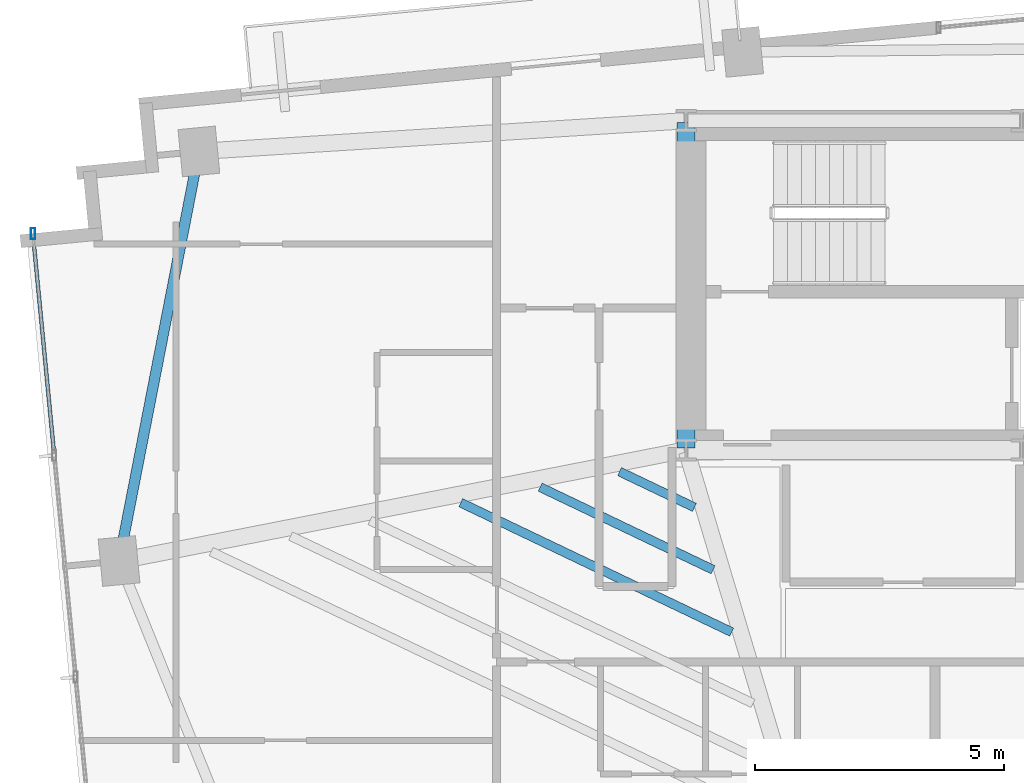
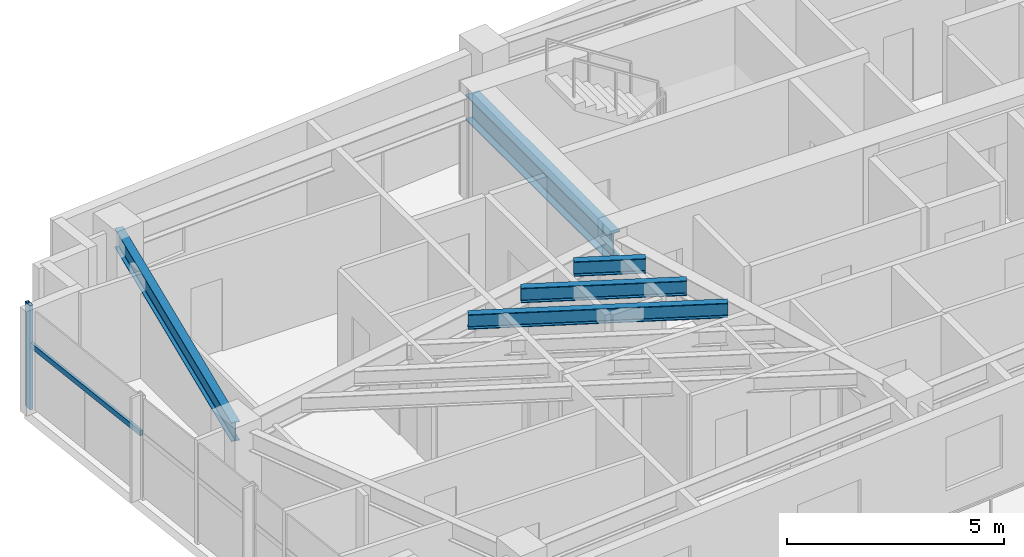
# One storey, part 3 of 18: 5 beams, 2 members, 1 element without a shape of its own.
"""IFC4 building model written with IfcOpenShell, lengths in metres."""

from ifc_helpers import new_model, si_unit, direction, frame, origin, origin_2d, place, context, subcontext, project, spatial, hollow_rectangle, i_section, extrude, source, transform, mapped, material, material_profile, profile_set, type_object, type_shapes, element, aggregate, save


model = new_model("IFC4")

# Units and contexts
model_context = context("Model", 3, precision=1e-05, world=origin(), true_north=direction((0.0, 1.0)))
body_context = subcontext(model_context, "Body", "Model", "MODEL_VIEW")
ifc_project = project(units=[si_unit("LENGTHUNIT", "METRE"), si_unit("AREAUNIT", "SQUARE_METRE"), si_unit("VOLUMEUNIT", "CUBIC_METRE"), si_unit("PLANEANGLEUNIT", "RADIAN"), si_unit("MASSUNIT", "GRAM", prefix="KILO")], contexts=[model_context])

# Site, building, storey
site_placement = place(None, origin())
site = spatial("IfcSite", under=ifc_project, at=site_placement, CompositionType="ELEMENT")
building_placement = place(site_placement, origin())
building = spatial("IfcBuilding", under=site, at=building_placement, Name="Astriad Promenade Condominiums", CompositionType="ELEMENT")
storey_placement = place(building_placement, frame((0.0, 0.0, 173.0)))
storey = spatial("IfcBuildingStorey", under=building, at=storey_placement, Name="L49", CompositionType="ELEMENT", Elevation=173.0)

# Beams
ifc_material_1 = material(Name="Steel ASTM A992 Grade 50", Category="steel")
ifc_material_profile_1 = material_profile(ifc_material_1, i_section(OverallWidth=0.35791015625, OverallDepth=0.706298828125, WebThickness=0.018310546875, FlangeThickness=0.0302734375, FilletRadius=0.020263671875, at=origin_2d()), Name="W27X178")
ifc_profile_set_1 = profile_set([ifc_material_profile_1], Name="Steel ASTM A992 Grade 50")
beam_type_1 = type_object("IfcBeamType", Name="STEEL FLOOR GIRDER W27X178", PredefinedType="BEAM", material=ifc_profile_set_1)
shared_shape_1 = source(origin(), body_context, "Body", "SweptSolid", [
    extrude(i_section(OverallWidth=0.35791015625, OverallDepth=0.706298828125, WebThickness=0.018310546875, FlangeThickness=0.0302734375, FilletRadius=0.020263671875, at=origin_2d()), origin(), (0.0, 0.0, 1.0), 6.52001953125),
])
type_shapes(beam_type_1, [shared_shape_1])
beam_1_placement = place(storey_placement, frame((26.39990234375, 17.43994140625, 2.5869140625), z_axis=(0.0, 1.0, 0.0), x_axis=(-1.0, 0.0, 0.0)))
element("IfcBeam", 1, at=beam_1_placement, inside=storey, type_object=beam_type_1, Name="Core Ring Beam CG-W1-L49", PredefinedType="BEAM", context=body_context, shape_type="MappedRepresentation", body=[
    mapped(shared_shape_1, transform((0.0, 0.0, 0.0), scale=1.0)),
])
ifc_material_profile_2 = material_profile(ifc_material_1, i_section(OverallWidth=0.210693359375, OverallDepth=0.53955078125, WebThickness=0.01171875, FlangeThickness=0.018798828125, FilletRadius=0.0166015625, at=origin_2d()), Name="W21X73")
ifc_profile_set_2 = profile_set([ifc_material_profile_2], Name="Steel ASTM A992 Grade 50")
beam_type_2 = type_object("IfcBeamType", Name="STEEL SPANDREL BEAM W21X73", PredefinedType="SPANDREL", material=ifc_profile_set_2)
shared_shape_2 = source(origin(), body_context, "Body", "SweptSolid", [
    extrude(i_section(OverallWidth=0.210693359375, OverallDepth=0.53955078125, WebThickness=0.01171875, FlangeThickness=0.018798828125, FilletRadius=0.0166015625, at=origin_2d()), origin(), (0.0, 0.0, 1.0), 8.28564453125),
])
type_shapes(beam_type_2, [shared_shape_2])
beam_2_placement = place(storey_placement, frame((16.62451171875, 23.3447265625, 2.67041015625), z_axis=(-0.191291582099, -0.981533254973, 0.0), x_axis=(0.981533254973, -0.191291582099, 0.0)))
element("IfcBeam", 2, at=beam_2_placement, inside=storey, type_object=beam_type_2, Name="Perimeter Spandrel Beam SP-W2-L49", PredefinedType="SPANDREL", context=body_context, shape_type="MappedRepresentation", body=[
    mapped(shared_shape_2, transform((0.0, 0.0, 0.0), scale=1.0)),
])
ifc_material_profile_3 = material_profile(ifc_material_1, i_section(OverallWidth=0.180908203125, OverallDepth=0.417236328125, WebThickness=0.010986328125, FlangeThickness=0.018310546875, FilletRadius=0.013916015625, at=origin_2d()), Name="W16X57")
ifc_profile_set_3 = profile_set([ifc_material_profile_3], Name="Steel ASTM A992 Grade 50")
beam_type_3 = type_object("IfcBeamType", Name="STEEL FLOOR JOIST W16X57", PredefinedType="JOIST", material=ifc_profile_set_3)
shared_shape_3 = source(origin(), body_context, "Body", "SweptSolid", [
    extrude(i_section(OverallWidth=0.180908203125, OverallDepth=0.417236328125, WebThickness=0.010986328125, FlangeThickness=0.018310546875, FilletRadius=0.013916015625, at=origin_2d()), origin(), (0.0, 0.0, 1.0), 6.01904296875),
])
beam_3_placement = place(storey_placement, frame((21.882080078125, 16.342041015625, 2.731201171875), z_axis=(0.902329759838, -0.431046406446, 0.0), x_axis=(0.431046406446, 0.902329759838, 0.0)))
element("IfcBeam", 3, at=beam_3_placement, inside=storey, type_object=beam_type_3, Name="Secondary Composite Floor Joist JW1-4-L49", PredefinedType="JOIST", context=body_context, shape_type="MappedRepresentation", body=[
    mapped(shared_shape_3, transform((0.0, 0.0, 0.0), scale=1.0)),
])
shared_shape_4 = source(origin(), body_context, "Body", "SweptSolid", [
    extrude(i_section(OverallWidth=0.180908203125, OverallDepth=0.417236328125, WebThickness=0.010986328125, FlangeThickness=0.018310546875, FilletRadius=0.013916015625, at=origin_2d()), origin(), (0.0, 0.0, 1.0), 3.84130859375),
])
beam_4_placement = place(storey_placement, frame((23.473388671875, 16.65380859375, 2.731201171875), z_axis=(0.902328811953, -0.431048390693, 0.0), x_axis=(0.431048390693, 0.902328811953, 0.0)))
element("IfcBeam", 4, at=beam_4_placement, inside=storey, type_object=beam_type_3, Name="Secondary Composite Floor Joist JW1-5-L49", PredefinedType="JOIST", context=body_context, shape_type="MappedRepresentation", body=[
    mapped(shared_shape_4, transform((0.0, 0.0, 0.0), scale=1.0)),
])
shared_shape_5 = source(origin(), body_context, "Body", "SweptSolid", [
    extrude(i_section(OverallWidth=0.180908203125, OverallDepth=0.417236328125, WebThickness=0.010986328125, FlangeThickness=0.018310546875, FilletRadius=0.013916015625, at=origin_2d()), origin(), (0.0, 0.0, 1.0), 1.6630859375),
])
type_shapes(beam_type_3, [shared_shape_3, shared_shape_4, shared_shape_5])
beam_5_placement = place(storey_placement, frame((25.065185546875, 16.965576171875, 2.731201171875), z_axis=(0.902355200591, -0.430993146077, 0.0), x_axis=(0.430993146077, 0.902355200591, 0.0)))
element("IfcBeam", 5, at=beam_5_placement, inside=storey, type_object=beam_type_3, Name="Secondary Composite Floor Joist JW1-6-L49", PredefinedType="JOIST", context=body_context, shape_type="MappedRepresentation", body=[
    mapped(shared_shape_5, transform((0.0, 0.0, 0.0), scale=1.0)),
])

# Curtain wall, members
ifc_material_2 = material(Name="Anodised aluminium Black Dark Glass Unitised", Category="aluminium")
curtain_wall_type = type_object("IfcCurtainWallType", Name="CW-B34-DARK", PredefinedType="USERDEFINED", material=ifc_material_2)
curtain_wall_placement = place(storey_placement, origin())
curtain_wall = element("IfcCurtainWall", 6, at=curtain_wall_placement, inside=storey, type_object=curtain_wall_type, Name="CW-L49-W", ObjectType="UNITISED_CURTAIN_WALL", PredefinedType="USERDEFINED")
ifc_material_3 = material(Name="Anodised aluminium 6063-T6 Black", Category="aluminium")
ifc_material_profile_4 = material_profile(ifc_material_3, hollow_rectangle(XDim=0.0849609375, YDim=0.219970703125, WallThickness=0.0048828125, at=origin_2d()), Name="ALU-MUL-85X220")
ifc_profile_set_4 = profile_set([ifc_material_profile_4], Name="Anodised aluminium 6063-T6 Black")
member_type_1 = type_object("IfcMemberType", Name="MUL-ALU-MUL-85X220", PredefinedType="MULLION", material=ifc_profile_set_4)
shared_shape_6 = source(origin(), body_context, "Body", "SweptSolid", [
    extrude(hollow_rectangle(XDim=0.0849609375, YDim=0.219970703125, WallThickness=0.0048828125, at=origin_2d()), origin(), (0.0, 0.0, 1.0), 2.93994140625),
])
type_shapes(member_type_1, [shared_shape_6])
member_1_placement = place(storey_placement, frame((13.3046875, 21.737548828125, 0.0), z_axis=(0.0, 0.0, 1.0), x_axis=(1.0, 0.0, 0.0)))
member_1 = element("IfcMember", 7, at=member_1_placement, type_object=member_type_1, Name="CW-L49-W-MUL-03", PredefinedType="MULLION", context=body_context, shape_type="MappedRepresentation", body=[
    mapped(shared_shape_6, transform((0.0, 0.0, 0.0), scale=1.0)),
])
ifc_material_profile_5 = material_profile(ifc_material_3, hollow_rectangle(XDim=0.074951171875, YDim=0.14990234375, WallThickness=0.004150390625, at=origin_2d()), Name="ALU-TRN-75X150")
ifc_profile_set_5 = profile_set([ifc_material_profile_5], Name="Anodised aluminium 6063-T6 Black")
member_type_2 = type_object("IfcMemberType", Name="TRN-ALU-TRN-75X150", PredefinedType="USERDEFINED", material=ifc_profile_set_5)
shared_shape_7 = source(origin(), body_context, "Body", "SweptSolid", [
    extrude(hollow_rectangle(XDim=0.074951171875, YDim=0.14990234375, WallThickness=0.004150390625, at=origin_2d()), origin(), (0.0, 0.0, 1.0), 4.466552734375),
])
type_shapes(member_type_2, [shared_shape_7])
member_2_placement = place(storey_placement, frame((13.732666015625, 17.29150390625, 1.82275390625), z_axis=(-0.095817598554, 0.995398908884, 0.0), x_axis=(-0.995398908884, -0.095817598554, 0.0)))
member_2 = element("IfcMember", 8, at=member_2_placement, type_object=member_type_2, Name="CW-L49-W-TRN-02-0", ObjectType="TRANSOM", PredefinedType="USERDEFINED", context=body_context, shape_type="MappedRepresentation", body=[
    mapped(shared_shape_7, transform((0.0, 0.0, 0.0), scale=1.0)),
])
aggregate(curtain_wall, [member_1, member_2])

save(model, "model.ifc")
